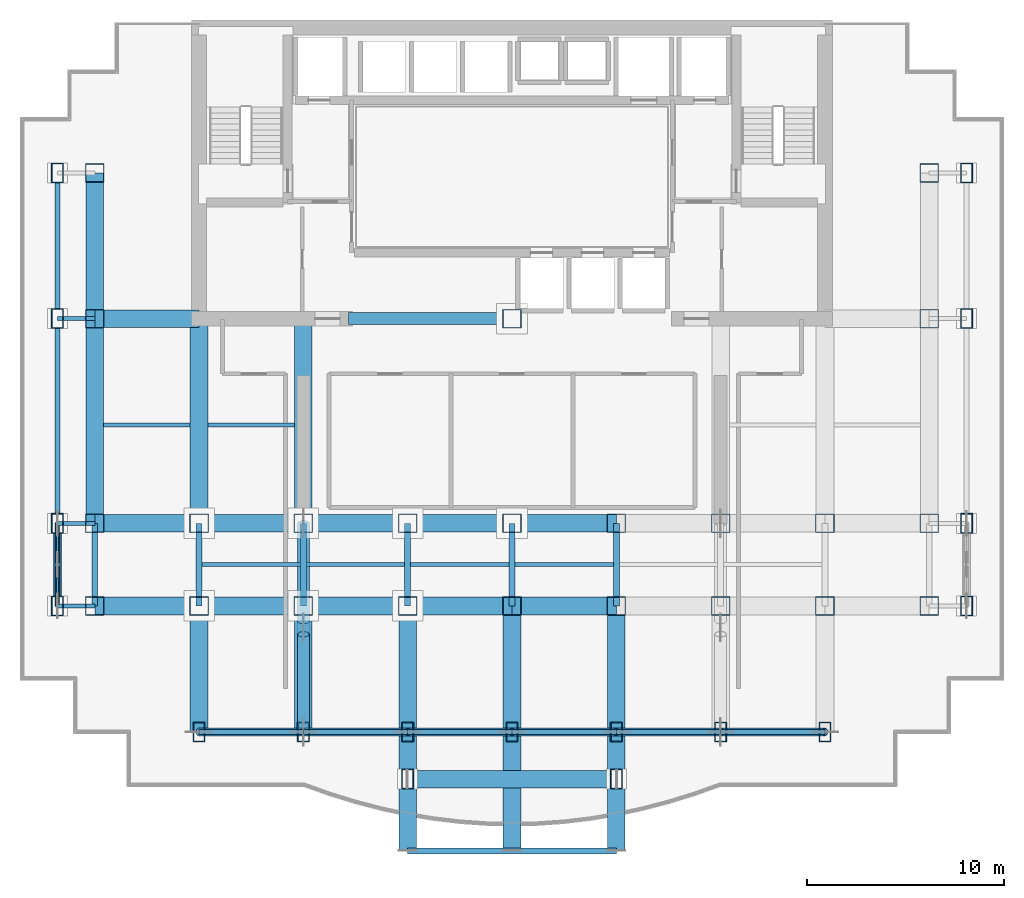
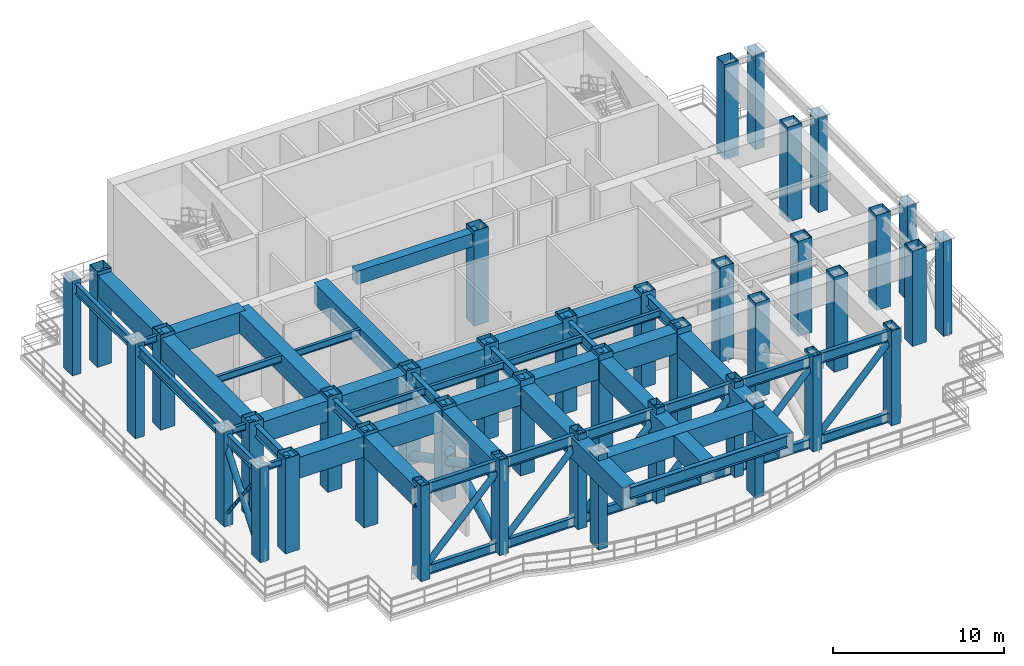
# One storey, part 1 of 8: 47 beams, 40 columns, 18 members.
"""IFC4 building model written with IfcOpenShell, lengths in metres."""

from ifc_helpers import new_model, si_unit, direction, frame, origin, origin_2d, place, context, subcontext, project, spatial, rectangle, hollow_rectangle, hollow_circle, i_section, extrude, material, material_profile, profile_set, type_object, element, save


model = new_model("IFC4")

# Units and contexts
model_context = context("Model", 3, precision=1e-05, world=origin(), true_north=direction((0.0, 1.0)))
body_context = subcontext(model_context, "Body", "Model", "MODEL_VIEW")
ifc_project = project(units=[si_unit("LENGTHUNIT", "METRE"), si_unit("AREAUNIT", "SQUARE_METRE"), si_unit("VOLUMEUNIT", "CUBIC_METRE"), si_unit("PLANEANGLEUNIT", "RADIAN"), si_unit("MASSUNIT", "GRAM", prefix="KILO")], contexts=[model_context])

# Site, building, storey
site_placement = place(None, origin())
site = spatial("IfcSite", under=ifc_project, at=site_placement, CompositionType="ELEMENT")
building_placement = place(site_placement, origin())
building = spatial("IfcBuilding", under=site, at=building_placement, Name="Qianlan Lanfeng Residences", CompositionType="ELEMENT")
storey_placement = place(building_placement, frame((0.0, 0.0, 127.89990234375)))
storey = spatial("IfcBuildingStorey", under=building, at=storey_placement, Name="L35", CompositionType="ELEMENT", Elevation=127.89990234375)

# Columns
ifc_material_1 = material(Name="Steel SN490B", Category="steel")
ifc_material_profile_1 = material_profile(ifc_material_1, hollow_rectangle(XDim=0.949951171875, YDim=0.949951171875, WallThickness=0.031982421875, at=origin_2d()), Name="BOX 950x950x32")
ifc_profile_set_1 = profile_set([ifc_material_profile_1], Name="Steel SN490B")
column_type_1 = type_object("IfcColumnType", Name="C-B1100", PredefinedType="COLUMN", material=ifc_profile_set_1)
for number, where, z_axis, x_axis, name in (
    (1, (26.5, 25.199951171875, 0.0), (0.0, 0.0, 1.0), (1.0, 0.0, 0.0), "L35 Structural Column CP_26.5_25.2"),
    (2, (10.60009765625, 14.800048828125, 0.0), (0.0, 0.0, 1.0), (1.0, 0.0, 0.0), "L35 Structural Column M_10.60_14.80"),
    (3, (10.60009765625, 10.60009765625, 0.0), (0.0, 0.0, 1.0), (1.0, 0.0, 0.0), "L35 Structural Column G_10.60_10.60"),
    (4, (15.89990234375, 14.800048828125, 0.0), (0.0, 0.0, 1.0), (1.0, 0.0, 0.0), "L35 Structural Column M_15.90_14.80"),
    (5, (15.89990234375, 10.60009765625, 0.0), (0.0, 0.0, 1.0), (1.0, 0.0, 0.0), "L35 Structural Column G_15.90_10.60"),
    (6, (21.199951171875, 14.800048828125, 0.0), (0.0, 0.0, 1.0), (1.0, 0.0, 0.0), "L35 Structural Column M_21.20_14.80"),
    (7, (21.199951171875, 10.60009765625, 0.0), (0.0, 0.0, 1.0), (1.0, 0.0, 0.0), "L35 Structural Column G_21.20_10.60"),
    (8, (26.5, 14.800048828125, 0.0), (0.0, 0.0, 1.0), (1.0, 0.0, 0.0), "L35 Structural Column M_26.50_14.80"),
    (9, (26.5, 10.60009765625, 0.0), (0.0, 0.0, 1.0), (1.0, 0.0, 0.0), "L35 Structural Column G_26.50_10.60"),
    (10, (31.800048828125, 14.800048828125, 0.0), (0.0, 0.0, 1.0), (1.0, 0.0, 0.0), "L35 Structural Column M_31.80_14.80"),
    (11, (31.800048828125, 10.60009765625, 0.0), (0.0, 0.0, 1.0), (1.0, 0.0, 0.0), "L35 Structural Column G_31.80_10.60"),
    (12, (37.10009765625, 14.800048828125, 0.0), (0.0, 0.0, 1.0), (1.0, 0.0, 0.0), "L35 Structural Column M_37.10_14.80"),
    (13, (37.10009765625, 10.60009765625, 0.0), (0.0, 0.0, 1.0), (1.0, 0.0, 0.0), "L35 Structural Column G_37.10_10.60"),
    (14, (42.39990234375, 14.800048828125, 0.0), (0.0, 0.0, 1.0), (1.0, 0.0, 0.0), "L35 Structural Column M_42.40_14.80"),
    (15, (42.39990234375, 10.60009765625, 0.0), (0.0, 0.0, 1.0), (1.0, 0.0, 0.0), "L35 Structural Column G_42.40_10.60"),
    (16, (5.300048828125, 10.60009765625, 0.0), (0.0, 0.0, 1.0), (1.0, 0.0, 0.0), "L35 Structural Column W_5.30_10.60"),
    (17, (5.300048828125, 14.800048828125, 0.0), (0.0, 0.0, 1.0), (1.0, 0.0, 0.0), "L35 Structural Column W_5.30_14.80"),
    (18, (5.300048828125, 25.199951171875, 0.0), (0.0, 0.0, 1.0), (1.0, 0.0, 0.0), "L35 Structural Column W_5.30_25.20"),
    (19, (5.300048828125, 32.60009765625, 0.0), (0.0, 0.0, 1.0), (1.0, 0.0, 0.0), "L35 Structural Column W_5.30_32.60"),
    (20, (47.699951171875, 10.60009765625, 0.0), (0.0, 0.0, 1.0), (1.0, 0.0, 0.0), "L35 Structural Column W_47.70_10.60"),
    (21, (47.699951171875, 14.800048828125, 0.0), (0.0, 0.0, 1.0), (1.0, 0.0, 0.0), "L35 Structural Column W_47.70_14.80"),
    (22, (47.699951171875, 25.199951171875, 0.0), (0.0, 0.0, 1.0), (1.0, 0.0, 0.0), "L35 Structural Column W_47.70_25.20"),
    (23, (47.699951171875, 32.60009765625, 0.0), (0.0, 0.0, 1.0), (1.0, 0.0, 0.0), "L35 Structural Column W_47.70_32.60"),
):
    element("IfcColumn", number, at=place(storey_placement, frame(where, z_axis=z_axis, x_axis=x_axis)), inside=storey, type_object=column_type_1, Name=name, PredefinedType="COLUMN", context=body_context, shape_type="SweptSolid", body=[
        extrude(hollow_rectangle(XDim=0.949951171875, YDim=0.949951171875, WallThickness=0.031982421875, at=origin_2d()), origin(), (0.0, 0.0, 1.0), 6.800048828125),
    ])
ifc_material_profile_2 = material_profile(ifc_material_1, hollow_rectangle(XDim=0.60009765625, YDim=1.0, WallThickness=0.031982421875, at=origin_2d()), Name="BOX 1000x600x32")
ifc_profile_set_2 = profile_set([ifc_material_profile_2], Name="Steel SN490B")
column_type_2 = type_object("IfcColumnType", Name="CE-B1100", PredefinedType="COLUMN", material=ifc_profile_set_2)
for number, where, z_axis, x_axis, name in (
    (24, (21.199951171875, 1.800048828125, 0.0), (0.0, 0.0, 1.0), (1.0, 0.0, 0.0), "L35 Structural Column P_21.20_1.80"),
    (25, (31.800048828125, 1.800048828125, 0.0), (0.0, 0.0, 1.0), (1.0, 0.0, 0.0), "L35 Structural Column P_31.80_1.80"),
):
    element("IfcColumn", number, at=place(storey_placement, frame(where, z_axis=z_axis, x_axis=x_axis)), inside=storey, type_object=column_type_2, Name=name, PredefinedType="COLUMN", context=body_context, shape_type="SweptSolid", body=[
        extrude(hollow_rectangle(XDim=0.60009765625, YDim=1.0, WallThickness=0.031982421875, at=origin_2d()), origin(), (0.0, 0.0, 1.0), 6.76416015625),
    ])
for number, where, z_axis, x_axis, name in (
    (26, (10.60009765625, 4.199951171875, 0.0), (0.0, 0.0, 1.0), (1.0, 0.0, 0.0), "L35 Structural Column S_10.60_4.20"),
    (27, (15.89990234375, 4.199951171875, 0.0), (0.0, 0.0, 1.0), (1.0, 0.0, 0.0), "L35 Structural Column S_15.90_4.20"),
    (28, (21.199951171875, 4.199951171875, 0.0), (0.0, 0.0, 1.0), (1.0, 0.0, 0.0), "L35 Structural Column S_21.20_4.20"),
    (29, (26.5, 4.199951171875, 0.0), (0.0, 0.0, 1.0), (1.0, 0.0, 0.0), "L35 Structural Column S_26.50_4.20"),
    (30, (31.800048828125, 4.199951171875, 0.0), (0.0, 0.0, 1.0), (1.0, 0.0, 0.0), "L35 Structural Column S_31.80_4.20"),
    (31, (37.10009765625, 4.199951171875, 0.0), (0.0, 0.0, 1.0), (1.0, 0.0, 0.0), "L35 Structural Column S_37.10_4.20"),
    (32, (42.39990234375, 4.199951171875, 0.0), (0.0, 0.0, 1.0), (1.0, 0.0, 0.0), "L35 Structural Column S_42.40_4.20"),
):
    element("IfcColumn", number, at=place(storey_placement, frame(where, z_axis=z_axis, x_axis=x_axis)), inside=storey, type_object=column_type_2, Name=name, PredefinedType="COLUMN", context=body_context, shape_type="SweptSolid", body=[
        extrude(hollow_rectangle(XDim=0.60009765625, YDim=1.0, WallThickness=0.031982421875, at=origin_2d()), origin(), (0.0, 0.0, 1.0), 6.800048828125),
    ])
for number, where, z_axis, x_axis, name in (
    (33, (3.39990234375, 10.60009765625, 0.0), (0.0, 0.0, 1.0), (1.0, 0.0, 0.0), "L35 Structural Column W_3.40_10.60"),
    (34, (3.39990234375, 14.800048828125, 0.0), (0.0, 0.0, 1.0), (1.0, 0.0, 0.0), "L35 Structural Column W_3.40_14.80"),
    (35, (3.39990234375, 25.199951171875, 0.0), (0.0, 0.0, 1.0), (1.0, 0.0, 0.0), "L35 Structural Column W_3.40_25.20"),
    (36, (3.39990234375, 32.60009765625, 0.0), (0.0, 0.0, 1.0), (1.0, 0.0, 0.0), "L35 Structural Column W_3.40_32.60"),
    (37, (49.60009765625, 10.60009765625, 0.0), (0.0, 0.0, 1.0), (1.0, 0.0, 0.0), "L35 Structural Column W_49.60_10.60"),
    (38, (49.60009765625, 14.800048828125, 0.0), (0.0, 0.0, 1.0), (1.0, 0.0, 0.0), "L35 Structural Column W_49.60_14.80"),
    (39, (49.60009765625, 25.199951171875, 0.0), (0.0, 0.0, 1.0), (1.0, 0.0, 0.0), "L35 Structural Column W_49.60_25.20"),
    (40, (49.60009765625, 32.60009765625, 0.0), (0.0, 0.0, 1.0), (1.0, 0.0, 0.0), "L35 Structural Column W_49.60_32.60"),
):
    element("IfcColumn", number, at=place(storey_placement, frame(where, z_axis=z_axis, x_axis=x_axis)), inside=storey, type_object=column_type_2, Name=name, PredefinedType="COLUMN", context=body_context, shape_type="SweptSolid", body=[
        extrude(hollow_rectangle(XDim=0.60009765625, YDim=1.0, WallThickness=0.031982421875, at=origin_2d()), origin(), (0.0, 0.0, 1.0), 6.76416015625),
    ])

# Members
ifc_material_profile_3 = material_profile(ifc_material_1, hollow_circle(Radius=0.203125, WallThickness=0.01611328125, at=origin_2d()), Name="CHS 406.4x16")
ifc_profile_set_3 = profile_set([ifc_material_profile_3], Name="Steel SN490B")
member_type_1 = type_object("IfcMemberType", Name="BB-457", PredefinedType="BRACE", material=ifc_profile_set_3)
for number, where, z_axis, x_axis, name in (
    (41, (10.60009765625, 4.199951171875, 0.35009765625), (0.689963046468, 0.0, 0.723844592789), (0.0, 1.0, 0.0), "L35 South Belt Truss Diagonal 1"),
    (42, (15.89990234375, 4.199951171875, 0.35009765625), (0.689979699081, 0.0, 0.723828719281), (0.0, 1.0, 0.0), "L35 South Belt Truss Diagonal 2"),
    (43, (21.199951171875, 4.199951171875, 0.35009765625), (0.689979699081, 0.0, 0.723828719281), (0.0, 1.0, 0.0), "L35 South Belt Truss Diagonal 3"),
    (44, (26.5, 4.199951171875, 0.35009765625), (0.689979699081, 0.0, 0.723828719281), (0.0, 1.0, 0.0), "L35 South Belt Truss Diagonal 4"),
    (45, (31.800048828125, 4.199951171875, 0.35009765625), (0.689979699081, 0.0, 0.723828719281), (0.0, 1.0, 0.0), "L35 South Belt Truss Diagonal 5"),
    (46, (37.10009765625, 4.199951171875, 0.35009765625), (0.689963046468, 0.0, 0.723844592789), (0.0, 1.0, 0.0), "L35 South Belt Truss Diagonal 6"),
):
    element("IfcMember", number, at=place(storey_placement, frame(where, z_axis=z_axis, x_axis=x_axis)), inside=storey, type_object=member_type_1, Name=name, PredefinedType="BRACE", context=body_context, shape_type="SweptSolid", body=[
        extrude(hollow_circle(Radius=0.203125, WallThickness=0.01611328125, at=origin_2d()), origin(), (0.0, 0.0, 1.0), 7.681396484375),
    ])
member_1_placement = place(storey_placement, frame((3.39990234375, 10.60009765625, 0.35009765625), z_axis=(0.0, 0.602743372314, 0.79793510208), x_axis=(-1.0, 0.0, 0.0)))
element("IfcMember", 47, at=member_1_placement, inside=storey, type_object=member_type_1, Name="L35 W End Portal Continuous Diagonal", PredefinedType="BRACE", context=body_context, shape_type="SweptSolid", body=[
    extrude(hollow_circle(Radius=0.203125, WallThickness=0.01611328125, at=origin_2d()), origin(), (0.0, 0.0, 1.0), 6.968017578125),
])

# Beams
ifc_material_profile_4 = material_profile(ifc_material_1, i_section(OverallWidth=0.300048828125, OverallDepth=0.85009765625, WebThickness=0.01611328125, FlangeThickness=0.031982421875, at=origin_2d()), Name="H 850x300x16x32")
ifc_profile_set_4 = profile_set([ifc_material_profile_4], Name="Steel SN490B")
beam_type_1 = type_object("IfcBeamType", Name="CB-POOL", PredefinedType="SPANDREL", material=ifc_profile_set_4)
beam_1_placement = place(storey_placement, frame((21.199951171875, -1.85009765625, 5.945068359375), z_axis=(1.0, 0.0, 0.0), x_axis=(0.0, 1.0, 0.0)))
element("IfcBeam", 48, at=beam_1_placement, inside=storey, type_object=beam_type_1, Name="Sky Pool Edge Header Girder", PredefinedType="SPANDREL", context=body_context, shape_type="SweptSolid", body=[
    extrude(i_section(OverallWidth=0.300048828125, OverallDepth=0.85009765625, WebThickness=0.01611328125, FlangeThickness=0.031982421875, at=origin_2d()), origin(), (0.0, 0.0, 1.0), 10.60009765625),
])
ifc_material_profile_5 = material_profile(ifc_material_1, i_section(OverallWidth=0.300048828125, OverallDepth=0.800048828125, WebThickness=0.01611328125, FlangeThickness=0.028076171875, at=origin_2d()), Name="H 800x300x16x28")
ifc_profile_set_5 = profile_set([ifc_material_profile_5], Name="Steel SN490B")
beam_type_2 = type_object("IfcBeamType", Name="G-950", PredefinedType="BEAM", material=ifc_profile_set_5)
for number, where, z_axis, x_axis, name in (
    (49, (5.300048828125, 10.60009765625, 6.16015625), (0.0, 1.0, 0.0), (-1.0, 0.0, 0.0), "Structural beam G-950"),
    (50, (10.60009765625, 10.60009765625, 6.16015625), (0.0, 1.0, 0.0), (-1.0, 0.0, 0.0), "Structural beam G-950"),
    (51, (15.89990234375, 10.60009765625, 6.16015625), (0.0, 1.0, 0.0), (-1.0, 0.0, 0.0), "Structural beam G-950"),
    (52, (21.199951171875, 10.60009765625, 6.16015625), (0.0, 1.0, 0.0), (-1.0, 0.0, 0.0), "Structural beam G-950"),
    (53, (26.5, 10.60009765625, 6.16015625), (0.0, 1.0, 0.0), (-1.0, 0.0, 0.0), "Structural beam G-950"),
    (54, (31.800048828125, 10.60009765625, 6.16015625), (0.0, 1.0, 0.0), (-1.0, 0.0, 0.0), "Structural beam G-950"),
):
    element("IfcBeam", number, at=place(storey_placement, frame(where, z_axis=z_axis, x_axis=x_axis)), inside=storey, type_object=beam_type_2, Name=name, PredefinedType="BEAM", context=body_context, shape_type="SweptSolid", body=[
        extrude(i_section(OverallWidth=0.300048828125, OverallDepth=0.800048828125, WebThickness=0.01611328125, FlangeThickness=0.028076171875, at=origin_2d()), origin(), (0.0, 0.0, 1.0), 4.199951171875),
    ])
ifc_material_profile_6 = material_profile(ifc_material_1, i_section(OverallWidth=0.199951171875, OverallDepth=0.449951171875, WebThickness=0.009033203125, FlangeThickness=0.013916015625, at=origin_2d()), Name="H 450x200x9x14")
ifc_profile_set_6 = profile_set([ifc_material_profile_6], Name="Steel SN490B")
beam_type_3 = type_object("IfcBeamType", Name="J-450", PredefinedType="JOIST", material=ifc_profile_set_6)
for number, where, z_axis, x_axis, name in (
    (55, (3.39990234375, 10.60009765625, 6.335205078125), (1.0, 0.0, 0.0), (0.0, 1.0, 0.0), "Structural beam J-450"),
    (56, (3.39990234375, 14.800048828125, 6.335205078125), (1.0, 0.0, 0.0), (0.0, 1.0, 0.0), "Structural beam J-450"),
    (57, (3.39990234375, 25.199951171875, 6.335205078125), (1.0, 0.0, 0.0), (0.0, 1.0, 0.0), "Structural beam J-450"),
):
    element("IfcBeam", number, at=place(storey_placement, frame(where, z_axis=z_axis, x_axis=x_axis)), inside=storey, type_object=beam_type_3, Name=name, PredefinedType="JOIST", context=body_context, shape_type="SweptSolid", body=[
        extrude(i_section(OverallWidth=0.199951171875, OverallDepth=0.449951171875, WebThickness=0.009033203125, FlangeThickness=0.013916015625, at=origin_2d()), origin(), (0.0, 0.0, 1.0), 1.900146484375),
    ])
ifc_material_profile_7 = material_profile(ifc_material_1, i_section(OverallWidth=0.199951171875, OverallDepth=0.5, WebThickness=0.010009765625, FlangeThickness=0.01611328125, at=origin_2d()), Name="H 500x200x10x16")
ifc_profile_set_7 = profile_set([ifc_material_profile_7], Name="Steel SN490B")
beam_type_4 = type_object("IfcBeamType", Name="J-500", PredefinedType="JOIST", material=ifc_profile_set_7)
for number, where, z_axis, x_axis, name in (
    (58, (10.75, 12.699951171875, 6.31005859375), (1.0, 0.0, 0.0), (0.0, 1.0, 0.0), "Structural beam J-500"),
    (59, (16.050048828125, 12.699951171875, 6.31005859375), (1.0, 0.0, 0.0), (0.0, 1.0, 0.0), "Structural beam J-500"),
    (60, (21.35009765625, 12.699951171875, 6.31005859375), (1.0, 0.0, 0.0), (0.0, 1.0, 0.0), "Structural beam J-500"),
    (61, (26.64990234375, 12.699951171875, 6.31005859375), (1.0, 0.0, 0.0), (0.0, 1.0, 0.0), "Structural beam J-500"),
):
    element("IfcBeam", number, at=place(storey_placement, frame(where, z_axis=z_axis, x_axis=x_axis)), inside=storey, type_object=beam_type_4, Name=name, PredefinedType="JOIST", context=body_context, shape_type="SweptSolid", body=[
        extrude(i_section(OverallWidth=0.199951171875, OverallDepth=0.5, WebThickness=0.010009765625, FlangeThickness=0.01611328125, at=origin_2d()), origin(), (0.0, 0.0, 1.0), 5.0),
    ])
for number, where, z_axis, x_axis, name in (
    (62, (5.75, 19.800048828125, 6.31005859375), (1.0, 0.0, 0.0), (0.0, 1.0, 0.0), "Structural beam J-500"),
    (63, (11.050048828125, 19.800048828125, 6.31005859375), (1.0, 0.0, 0.0), (0.0, 1.0, 0.0), "Structural beam J-500"),
):
    element("IfcBeam", number, at=place(storey_placement, frame(where, z_axis=z_axis, x_axis=x_axis)), inside=storey, type_object=beam_type_4, Name=name, PredefinedType="JOIST", context=body_context, shape_type="SweptSolid", body=[
        extrude(i_section(OverallWidth=0.199951171875, OverallDepth=0.5, WebThickness=0.010009765625, FlangeThickness=0.01611328125, at=origin_2d()), origin(), (0.0, 0.0, 1.0), 4.39990234375),
    ])
ifc_material_2 = material(Name="Concrete C60", Category="concrete")
ifc_material_profile_8 = material_profile(ifc_material_2, rectangle(XDim=0.60009765625, YDim=0.949951171875, at=origin_2d()), Name="RC 600x950")
ifc_profile_set_8 = profile_set([ifc_material_profile_8], Name="Concrete C60")
beam_type_5 = type_object("IfcBeamType", Name="LB-RC900", PredefinedType="BEAM", material=ifc_profile_set_8)
beam_2_placement = place(storey_placement, frame((18.199951171875, 25.199951171875, 6.085205078125), z_axis=(1.0, 0.0, 0.0), x_axis=(0.0, 1.0, 0.0)))
element("IfcBeam", 64, at=beam_2_placement, inside=storey, type_object=beam_type_5, Name="L35 Core Coupling Beam W", PredefinedType="BEAM", context=body_context, shape_type="SweptSolid", body=[
    extrude(rectangle(XDim=0.60009765625, YDim=0.949951171875, at=origin_2d()), origin(), (0.0, 0.0, 1.0), 8.300048828125),
])

# Members
ifc_material_profile_9 = material_profile(ifc_material_1, hollow_circle(Radius=0.3046875, WallThickness=0.02490234375, at=origin_2d()), Name="CHS 609.6x25")
ifc_profile_set_9 = profile_set([ifc_material_profile_9], Name="Steel SN490B")
member_type_2 = type_object("IfcMemberType", Name="OB-610", PredefinedType="BRACE", material=ifc_profile_set_9)
member_2_placement = place(storey_placement, frame((15.89990234375, 14.800048828125, 0.35009765625), z_axis=(0.0, -0.885569507727, 0.46450688583), x_axis=(1.0, 0.0, 0.0)))
element("IfcMember", 65, at=member_2_placement, inside=storey, type_object=member_type_2, Name="L35 Outrigger Continuous Diagonal G4-D1", PredefinedType="BRACE", context=body_context, shape_type="SweptSolid", body=[
    extrude(hollow_circle(Radius=0.3046875, WallThickness=0.02490234375, at=origin_2d()), origin(), (0.0, 0.0, 1.0), 11.9697265625),
])
for number, where, z_axis, x_axis, name in (
    (66, (15.89990234375, 14.800048828125, 5.91015625), (0.0, -0.885573074059, -0.464500086654), (1.0, 0.0, 0.0), "L35 Outrigger Split Upper Half-Diagonal G4-D2A"),
    (67, (15.89990234375, 9.16357421875, 2.95361328125), (0.0, -0.885573074059, -0.464500086654), (1.0, 0.0, 0.0), "L35 Outrigger Split Lower Half-Diagonal G4-D2B"),
):
    element("IfcMember", number, at=place(storey_placement, frame(where, z_axis=z_axis, x_axis=x_axis)), inside=storey, type_object=member_type_2, Name=name, PredefinedType="BRACE", context=body_context, shape_type="SweptSolid", body=[
        extrude(hollow_circle(Radius=0.3046875, WallThickness=0.02490234375, at=origin_2d()), origin(), (0.0, 0.0, 1.0), 5.60498046875),
    ])
ifc_material_profile_10 = material_profile(ifc_material_1, hollow_circle(Radius=0.109619140625, WallThickness=0.010009765625, at=origin_2d()), Name="CHS 219.1x10")
ifc_profile_set_10 = profile_set([ifc_material_profile_10], Name="Steel SN490B")
member_type_3 = type_object("IfcMemberType", Name="PB-273", PredefinedType="STRUT", material=ifc_profile_set_10)
member_3_placement = place(storey_placement, frame((3.39990234375, 14.800048828125, 0.35009765625), z_axis=(0.0, -0.602766012183, 0.797917999895), x_axis=(1.0, 0.0, 0.0)))
element("IfcMember", 68, at=member_3_placement, inside=storey, type_object=member_type_3, Name="L35 W Portal Split Counter-Brace Lower Half", PredefinedType="STRUT", context=body_context, shape_type="SweptSolid", body=[
    extrude(hollow_circle(Radius=0.109619140625, WallThickness=0.010009765625, at=origin_2d()), origin(), (0.0, 0.0, 1.0), 3.243896484375),
])
member_4_placement = place(storey_placement, frame((3.39990234375, 12.555419921875, 3.321533203125), z_axis=(0.0, -0.602729816328, 0.797945341806), x_axis=(1.0, 0.0, 0.0)))
element("IfcMember", 69, at=member_4_placement, inside=storey, type_object=member_type_3, Name="L35 W Portal Split Counter-Brace Upper Half", PredefinedType="STRUT", context=body_context, shape_type="SweptSolid", body=[
    extrude(hollow_circle(Radius=0.109619140625, WallThickness=0.010009765625, at=origin_2d()), origin(), (0.0, 0.0, 1.0), 3.244140625),
])

# Beams
ifc_material_profile_11 = material_profile(ifc_material_1, i_section(OverallWidth=0.25, OverallDepth=0.75, WebThickness=0.013916015625, FlangeThickness=0.02490234375, at=origin_2d()), Name="H 750x250x14x25")
ifc_profile_set_11 = profile_set([ifc_material_profile_11], Name="Steel SN490B")
beam_type_6 = type_object("IfcBeamType", Name="SG-850", PredefinedType="SPANDREL", material=ifc_profile_set_11)
beam_3_placement = place(storey_placement, frame((10.60009765625, 4.199951171875, 6.18505859375), z_axis=(1.0, 0.0, 0.0), x_axis=(0.0, 1.0, 0.0)))
element("IfcBeam", 70, at=beam_3_placement, inside=storey, type_object=beam_type_6, Name="Structural beam SG-850", PredefinedType="SPANDREL", context=body_context, shape_type="SweptSolid", body=[
    extrude(i_section(OverallWidth=0.25, OverallDepth=0.75, WebThickness=0.013916015625, FlangeThickness=0.02490234375, at=origin_2d()), origin(), (0.0, 0.0, 1.0), 5.2998046875),
])
for number, where, z_axis, x_axis, name in (
    (71, (15.89990234375, 4.199951171875, 6.18505859375), (1.0, 0.0, 0.0), (0.0, 1.0, 0.0), "Structural beam SG-850"),
    (72, (21.199951171875, 4.199951171875, 6.18505859375), (1.0, 0.0, 0.0), (0.0, 1.0, 0.0), "Structural beam SG-850"),
    (73, (26.5, 4.199951171875, 6.18505859375), (1.0, 0.0, 0.0), (0.0, 1.0, 0.0), "Structural beam SG-850"),
    (74, (31.800048828125, 4.199951171875, 6.18505859375), (1.0, 0.0, 0.0), (0.0, 1.0, 0.0), "Structural beam SG-850"),
):
    element("IfcBeam", number, at=place(storey_placement, frame(where, z_axis=z_axis, x_axis=x_axis)), inside=storey, type_object=beam_type_6, Name=name, PredefinedType="SPANDREL", context=body_context, shape_type="SweptSolid", body=[
        extrude(i_section(OverallWidth=0.25, OverallDepth=0.75, WebThickness=0.013916015625, FlangeThickness=0.02490234375, at=origin_2d()), origin(), (0.0, 0.0, 1.0), 5.300048828125),
    ])
beam_4_placement = place(storey_placement, frame((37.10009765625, 4.199951171875, 6.18505859375), z_axis=(1.0, 0.0, 0.0), x_axis=(0.0, 1.0, 0.0)))
element("IfcBeam", 75, at=beam_4_placement, inside=storey, type_object=beam_type_6, Name="Structural beam SG-850", PredefinedType="SPANDREL", context=body_context, shape_type="SweptSolid", body=[
    extrude(i_section(OverallWidth=0.25, OverallDepth=0.75, WebThickness=0.013916015625, FlangeThickness=0.02490234375, at=origin_2d()), origin(), (0.0, 0.0, 1.0), 5.2998046875),
])
beam_5_placement = place(storey_placement, frame((3.39990234375, 10.60009765625, 6.18505859375), z_axis=(0.0, 1.0, 0.0), x_axis=(-1.0, 0.0, 0.0)))
element("IfcBeam", 76, at=beam_5_placement, inside=storey, type_object=beam_type_6, Name="Structural beam SG-850", PredefinedType="SPANDREL", context=body_context, shape_type="SweptSolid", body=[
    extrude(i_section(OverallWidth=0.25, OverallDepth=0.75, WebThickness=0.013916015625, FlangeThickness=0.02490234375, at=origin_2d()), origin(), (0.0, 0.0, 1.0), 4.199951171875),
])
beam_6_placement = place(storey_placement, frame((3.39990234375, 14.800048828125, 6.18505859375), z_axis=(0.0, 1.0, 0.0), x_axis=(-1.0, 0.0, 0.0)))
element("IfcBeam", 77, at=beam_6_placement, inside=storey, type_object=beam_type_6, Name="Structural beam SG-850", PredefinedType="SPANDREL", context=body_context, shape_type="SweptSolid", body=[
    extrude(i_section(OverallWidth=0.25, OverallDepth=0.75, WebThickness=0.013916015625, FlangeThickness=0.02490234375, at=origin_2d()), origin(), (0.0, 0.0, 1.0), 10.39990234375),
])
beam_7_placement = place(storey_placement, frame((3.39990234375, 25.199951171875, 6.18505859375), z_axis=(0.0, 1.0, 0.0), x_axis=(-1.0, 0.0, 0.0)))
element("IfcBeam", 78, at=beam_7_placement, inside=storey, type_object=beam_type_6, Name="Structural beam SG-850", PredefinedType="SPANDREL", context=body_context, shape_type="SweptSolid", body=[
    extrude(i_section(OverallWidth=0.25, OverallDepth=0.75, WebThickness=0.013916015625, FlangeThickness=0.02490234375, at=origin_2d()), origin(), (0.0, 0.0, 1.0), 7.400146484375),
])

# Members
ifc_material_profile_12 = material_profile(ifc_material_1, i_section(OverallWidth=0.25, OverallDepth=0.64990234375, WebThickness=0.012939453125, FlangeThickness=0.02197265625, at=origin_2d()), Name="H 650x250x13x22")
ifc_profile_set_12 = profile_set([ifc_material_profile_12], Name="Steel SN490B")
member_type_4 = type_object("IfcMemberType", Name="TC-650", PredefinedType="CHORD", material=ifc_profile_set_12)
member_5_placement = place(storey_placement, frame((10.60009765625, 4.199951171875, 0.35009765625), z_axis=(1.0, 0.0, 0.0), x_axis=(0.0, 1.0, 0.0)))
element("IfcMember", 79, at=member_5_placement, inside=storey, type_object=member_type_4, Name="L35 South Belt Truss Bottom Chord 1", PredefinedType="CHORD", context=body_context, shape_type="SweptSolid", body=[
    extrude(i_section(OverallWidth=0.25, OverallDepth=0.64990234375, WebThickness=0.012939453125, FlangeThickness=0.02197265625, at=origin_2d()), origin(), (0.0, 0.0, 1.0), 5.2998046875),
])
for number, where, z_axis, x_axis, name in (
    (80, (15.89990234375, 4.199951171875, 0.35009765625), (1.0, 0.0, 0.0), (0.0, 1.0, 0.0), "L35 South Belt Truss Bottom Chord 2"),
    (81, (21.199951171875, 4.199951171875, 0.35009765625), (1.0, 0.0, 0.0), (0.0, 1.0, 0.0), "L35 South Belt Truss Bottom Chord 3"),
    (82, (26.5, 4.199951171875, 0.35009765625), (1.0, 0.0, 0.0), (0.0, 1.0, 0.0), "L35 South Belt Truss Bottom Chord 4"),
    (83, (31.800048828125, 4.199951171875, 0.35009765625), (1.0, 0.0, 0.0), (0.0, 1.0, 0.0), "L35 South Belt Truss Bottom Chord 5"),
):
    element("IfcMember", number, at=place(storey_placement, frame(where, z_axis=z_axis, x_axis=x_axis)), inside=storey, type_object=member_type_4, Name=name, PredefinedType="CHORD", context=body_context, shape_type="SweptSolid", body=[
        extrude(i_section(OverallWidth=0.25, OverallDepth=0.64990234375, WebThickness=0.012939453125, FlangeThickness=0.02197265625, at=origin_2d()), origin(), (0.0, 0.0, 1.0), 5.300048828125),
    ])
member_6_placement = place(storey_placement, frame((37.10009765625, 4.199951171875, 0.35009765625), z_axis=(1.0, 0.0, 0.0), x_axis=(0.0, 1.0, 0.0)))
element("IfcMember", 84, at=member_6_placement, inside=storey, type_object=member_type_4, Name="L35 South Belt Truss Bottom Chord 6", PredefinedType="CHORD", context=body_context, shape_type="SweptSolid", body=[
    extrude(i_section(OverallWidth=0.25, OverallDepth=0.64990234375, WebThickness=0.012939453125, FlangeThickness=0.02197265625, at=origin_2d()), origin(), (0.0, 0.0, 1.0), 5.2998046875),
])

# Beams
ifc_material_3 = material(Name="Steel SM570 (420 MPa)", Category="steel")
ifc_material_profile_13 = material_profile(ifc_material_3, hollow_rectangle(XDim=0.89990234375, YDim=1.5, WallThickness=0.035888671875, at=origin_2d()), Name="BOX 1500x900x36")
ifc_profile_set_13 = profile_set([ifc_material_profile_13], Name="Steel SM570 (420 MPa)")
beam_type_7 = type_object("IfcBeamType", Name="TG-1800", PredefinedType="BEAM", material=ifc_profile_set_13)
beam_8_placement = place(storey_placement, frame((5.300048828125, 10.60009765625, 5.81005859375), z_axis=(1.0, 0.0, 0.0), x_axis=(0.0, 1.0, 0.0)))
element("IfcBeam", 85, at=beam_8_placement, inside=storey, type_object=beam_type_7, Name="Structural beam TG-1800", PredefinedType="BEAM", context=body_context, shape_type="SweptSolid", body=[
    extrude(hollow_rectangle(XDim=0.89990234375, YDim=1.5, WallThickness=0.035888671875, at=origin_2d()), origin(), (0.0, 0.0, 1.0), 5.300048828125),
])
beam_9_placement = place(storey_placement, frame((10.60009765625, 10.60009765625, 5.81005859375), z_axis=(1.0, 0.0, 0.0), x_axis=(0.0, 1.0, 0.0)))
element("IfcBeam", 86, at=beam_9_placement, inside=storey, type_object=beam_type_7, Name="Structural beam TG-1800", PredefinedType="BEAM", context=body_context, shape_type="SweptSolid", body=[
    extrude(hollow_rectangle(XDim=0.89990234375, YDim=1.5, WallThickness=0.035888671875, at=origin_2d()), origin(), (0.0, 0.0, 1.0), 5.2998046875),
])
for number, where, z_axis, x_axis, name in (
    (87, (15.89990234375, 10.60009765625, 5.81005859375), (1.0, 0.0, 0.0), (0.0, 1.0, 0.0), "Structural beam TG-1800"),
    (88, (21.199951171875, 10.60009765625, 5.81005859375), (1.0, 0.0, 0.0), (0.0, 1.0, 0.0), "Structural beam TG-1800"),
    (89, (26.5, 10.60009765625, 5.81005859375), (1.0, 0.0, 0.0), (0.0, 1.0, 0.0), "Structural beam TG-1800"),
    (90, (5.300048828125, 14.800048828125, 5.81005859375), (1.0, 0.0, 0.0), (0.0, 1.0, 0.0), "Structural beam TG-1800"),
):
    element("IfcBeam", number, at=place(storey_placement, frame(where, z_axis=z_axis, x_axis=x_axis)), inside=storey, type_object=beam_type_7, Name=name, PredefinedType="BEAM", context=body_context, shape_type="SweptSolid", body=[
        extrude(hollow_rectangle(XDim=0.89990234375, YDim=1.5, WallThickness=0.035888671875, at=origin_2d()), origin(), (0.0, 0.0, 1.0), 5.300048828125),
    ])
beam_10_placement = place(storey_placement, frame((10.60009765625, 14.800048828125, 5.81005859375), z_axis=(1.0, 0.0, 0.0), x_axis=(0.0, 1.0, 0.0)))
element("IfcBeam", 91, at=beam_10_placement, inside=storey, type_object=beam_type_7, Name="Structural beam TG-1800", PredefinedType="BEAM", context=body_context, shape_type="SweptSolid", body=[
    extrude(hollow_rectangle(XDim=0.89990234375, YDim=1.5, WallThickness=0.035888671875, at=origin_2d()), origin(), (0.0, 0.0, 1.0), 5.2998046875),
])
for number, where, z_axis, x_axis, name in (
    (92, (15.89990234375, 14.800048828125, 5.81005859375), (1.0, 0.0, 0.0), (0.0, 1.0, 0.0), "Structural beam TG-1800"),
    (93, (21.199951171875, 14.800048828125, 5.81005859375), (1.0, 0.0, 0.0), (0.0, 1.0, 0.0), "Structural beam TG-1800"),
    (94, (26.5, 14.800048828125, 5.81005859375), (1.0, 0.0, 0.0), (0.0, 1.0, 0.0), "Structural beam TG-1800"),
    (95, (5.300048828125, 25.199951171875, 5.81005859375), (1.0, 0.0, 0.0), (0.0, 1.0, 0.0), "Structural beam TG-1800"),
):
    element("IfcBeam", number, at=place(storey_placement, frame(where, z_axis=z_axis, x_axis=x_axis)), inside=storey, type_object=beam_type_7, Name=name, PredefinedType="BEAM", context=body_context, shape_type="SweptSolid", body=[
        extrude(hollow_rectangle(XDim=0.89990234375, YDim=1.5, WallThickness=0.035888671875, at=origin_2d()), origin(), (0.0, 0.0, 1.0), 5.300048828125),
    ])
beam_11_placement = place(storey_placement, frame((5.300048828125, 14.800048828125, 5.81005859375), z_axis=(0.0, 1.0, 0.0), x_axis=(-1.0, 0.0, 0.0)))
element("IfcBeam", 96, at=beam_11_placement, inside=storey, type_object=beam_type_7, Name="Structural beam TG-1800", PredefinedType="BEAM", context=body_context, shape_type="SweptSolid", body=[
    extrude(hollow_rectangle(XDim=0.89990234375, YDim=1.5, WallThickness=0.035888671875, at=origin_2d()), origin(), (0.0, 0.0, 1.0), 10.39990234375),
])
beam_12_placement = place(storey_placement, frame((5.300048828125, 25.199951171875, 5.81005859375), z_axis=(0.0, 1.0, 0.0), x_axis=(-1.0, 0.0, 0.0)))
element("IfcBeam", 97, at=beam_12_placement, inside=storey, type_object=beam_type_7, Name="Structural beam TG-1800", PredefinedType="BEAM", context=body_context, shape_type="SweptSolid", body=[
    extrude(hollow_rectangle(XDim=0.89990234375, YDim=1.5, WallThickness=0.035888671875, at=origin_2d()), origin(), (0.0, 0.0, 1.0), 7.400146484375),
])
beam_13_placement = place(storey_placement, frame((10.60009765625, 4.199951171875, 5.81005859375), z_axis=(0.0, 1.0, 0.0), x_axis=(-1.0, 0.0, 0.0)))
element("IfcBeam", 98, at=beam_13_placement, inside=storey, type_object=beam_type_7, Name="Structural beam TG-1800", PredefinedType="BEAM", context=body_context, shape_type="SweptSolid", body=[
    extrude(hollow_rectangle(XDim=0.89990234375, YDim=1.5, WallThickness=0.035888671875, at=origin_2d()), origin(), (0.0, 0.0, 1.0), 6.400146484375),
])
beam_14_placement = place(storey_placement, frame((10.60009765625, 14.800048828125, 5.81005859375), z_axis=(0.0, 1.0, 0.0), x_axis=(-1.0, 0.0, 0.0)))
element("IfcBeam", 99, at=beam_14_placement, inside=storey, type_object=beam_type_7, Name="Structural beam TG-1800", PredefinedType="BEAM", context=body_context, shape_type="SweptSolid", body=[
    extrude(hollow_rectangle(XDim=0.89990234375, YDim=1.5, WallThickness=0.035888671875, at=origin_2d()), origin(), (0.0, 0.0, 1.0), 10.39990234375),
])
beam_15_placement = place(storey_placement, frame((15.89990234375, 4.199951171875, 5.81005859375), z_axis=(0.0, 1.0, 0.0), x_axis=(-1.0, 0.0, 0.0)))
element("IfcBeam", 100, at=beam_15_placement, inside=storey, type_object=beam_type_7, Name="Structural beam TG-1800", PredefinedType="BEAM", context=body_context, shape_type="SweptSolid", body=[
    extrude(hollow_rectangle(XDim=0.89990234375, YDim=1.5, WallThickness=0.035888671875, at=origin_2d()), origin(), (0.0, 0.0, 1.0), 6.400146484375),
])
beam_16_placement = place(storey_placement, frame((15.89990234375, 14.800048828125, 5.81005859375), z_axis=(0.0, 1.0, 0.0), x_axis=(-1.0, 0.0, 0.0)))
element("IfcBeam", 101, at=beam_16_placement, inside=storey, type_object=beam_type_7, Name="Structural beam TG-1800", PredefinedType="BEAM", context=body_context, shape_type="SweptSolid", body=[
    extrude(hollow_rectangle(XDim=0.89990234375, YDim=1.5, WallThickness=0.035888671875, at=origin_2d()), origin(), (0.0, 0.0, 1.0), 10.39990234375),
])
beam_17_placement = place(storey_placement, frame((21.199951171875, 1.800048828125, 5.6201171875), z_axis=(1.0, 0.0, 0.0), x_axis=(0.0, 1.0, 0.0)))
element("IfcBeam", 102, at=beam_17_placement, inside=storey, type_object=beam_type_7, Name="Sky Pool Root Support Transfer Girder", PredefinedType="BEAM", context=body_context, shape_type="SweptSolid", body=[
    extrude(hollow_rectangle(XDim=0.89990234375, YDim=1.5, WallThickness=0.035888671875, at=origin_2d()), origin(), (0.0, 0.0, 1.0), 10.60009765625),
])
for number, where, z_axis, x_axis, name in (
    (103, (21.199951171875, 10.60009765625, 5.6201171875), (0.0, -1.0, 0.0), (1.0, 0.0, 0.0), "Sky Pool Continuous Back-Span Cantilever Transfer Girder 1"),
    (104, (26.5, 10.60009765625, 5.6201171875), (0.0, -1.0, 0.0), (1.0, 0.0, 0.0), "Sky Pool Continuous Back-Span Cantilever Transfer Girder 2"),
    (105, (31.800048828125, 10.60009765625, 5.6201171875), (0.0, -1.0, 0.0), (1.0, 0.0, 0.0), "Sky Pool Continuous Back-Span Cantilever Transfer Girder 3"),
):
    element("IfcBeam", number, at=place(storey_placement, frame(where, z_axis=z_axis, x_axis=x_axis)), inside=storey, type_object=beam_type_7, Name=name, PredefinedType="BEAM", context=body_context, shape_type="SweptSolid", body=[
        extrude(hollow_rectangle(XDim=0.89990234375, YDim=1.5, WallThickness=0.035888671875, at=origin_2d()), origin(), (0.0, 0.0, 1.0), 12.4140625),
    ])

save(model, "model.ifc")
